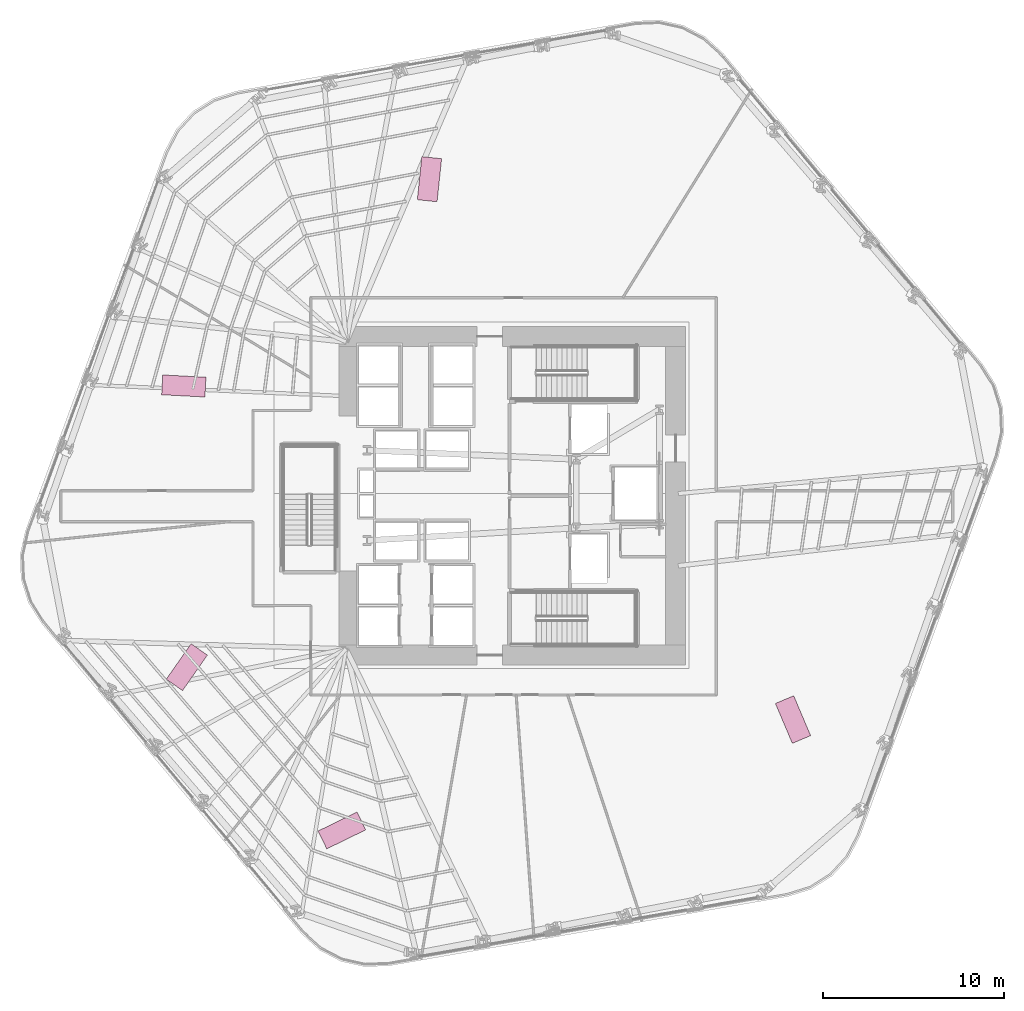
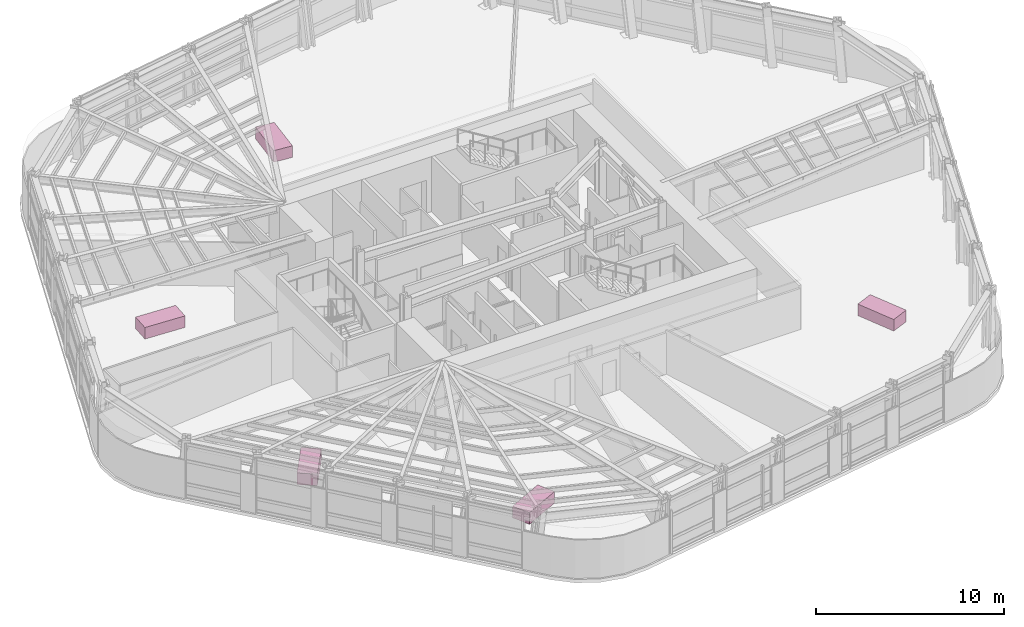
# One storey, part 16 of 16: 5 furniture elements.
"""IFC4 building model written with IfcOpenShell, lengths in metres."""

import ifcopenshell
import ifcopenshell.guid

model = None  # the IFC model being written
_history = None  # IfcOwnerHistory: only IFC2X3 demands one
_inside = {}  # id of a spatial element -> (the spatial element, [elements in it])
_under = {}  # id of a project, library or spatial element -> (it, [spatial elements below it])
_declared = {}  # id of a project -> (the project, [libraries it declares])
_typed = {}  # id of a type object -> (the type object, [elements of that type])
_made_of = {}  # id of a material, layer set ... -> (it, [elements and type objects made of it])


def new_model(schema):
    """Start an empty IFC model of exactly this schema.

    Asked for "IFC4X3", IfcOpenShell would pick the latest addendum, in which some entities
    have other attributes; the version numbers below select the first issue.
    IFC2X3 requires an IfcOwnerHistory on every rooted entity: one is made here for all.
    """
    global model, _history
    if schema == "IFC4X3":
        model = ifcopenshell.file(schema_version=(4, 3, 0, 0))
    else:
        model = ifcopenshell.file(schema=schema)
    _inside.clear()
    _under.clear()
    _declared.clear()
    _typed.clear()
    _made_of.clear()
    _history = None
    if model.schema == "IFC2X3":
        org = make("IfcOrganization", Name="unknown")
        user = make(
            "IfcPersonAndOrganization",
            ThePerson=make("IfcPerson", FamilyName="unknown"),
            TheOrganization=org,
        )
        app = make(
            "IfcApplication",
            ApplicationDeveloper=org,
            Version="unknown",
            ApplicationFullName="unknown",
            ApplicationIdentifier="unknown",
        )
        _history = make(
            "IfcOwnerHistory",
            OwningUser=user,
            OwningApplication=app,
            ChangeAction="ADDED",
            CreationDate=0,
        )
    return model


def make(cls, **values):
    """One entity of the class cls with the attributes given. An attribute that is None is left unset."""
    return model.create_entity(
        cls, **{name: value for name, value in values.items() if value is not None}
    )


def rooted(cls, **values):
    """An entity with a GlobalId (a new one), such as an element, a storey or a relation."""
    return make(cls, GlobalId=ifcopenshell.guid.new(), OwnerHistory=_history, **values)


def si_unit(unit_type, name, prefix=None):
    """IfcSIUnit, for example si_unit("LENGTHUNIT", "METRE", prefix="MILLI")."""
    return make("IfcSIUnit", UnitType=unit_type, Prefix=prefix, Name=name)


def assignment(units):
    """IfcUnitAssignment: the units of a project."""
    return None if units is None else make("IfcUnitAssignment", Units=units)


def point(xyz):
    """IfcCartesianPoint."""
    return None if xyz is None else make("IfcCartesianPoint", Coordinates=xyz)


def direction(xyz):
    """IfcDirection."""
    return None if xyz is None else make("IfcDirection", DirectionRatios=xyz)


def frame(location, z_axis=None, x_axis=None):
    """IfcAxis2Placement3D, a coordinate frame: its origin and axes. An axis left out is left unset."""
    return make(
        "IfcAxis2Placement3D",
        Location=point(location),
        Axis=direction(z_axis),
        RefDirection=direction(x_axis),
    )


def frame_2d(location, x_axis=None):
    """IfcAxis2Placement2D, a coordinate frame in the plane: its origin and x axis."""
    return make(
        "IfcAxis2Placement2D", Location=point(location), RefDirection=direction(x_axis)
    )


def origin():
    """The frame at (0, 0, 0) with its axes left unset."""
    return frame((0.0, 0.0, 0.0))


def origin_2d():
    """The frame at (0, 0) in the plane with its x axis left unset."""
    return frame_2d((0.0, 0.0))


def place(relative_to, where):
    """IfcLocalPlacement: puts the frame where relative to a parent placement (None: the world)."""
    return make(
        "IfcLocalPlacement", PlacementRelTo=relative_to, RelativePlacement=where
    )


def context(
    kind, dimensions, precision=None, world=None, true_north=None, identifier=None
):
    """IfcGeometricRepresentationContext, for example the 3D "Model" context."""
    return make(
        "IfcGeometricRepresentationContext",
        ContextIdentifier=identifier,
        ContextType=kind,
        CoordinateSpaceDimension=dimensions,
        Precision=precision,
        WorldCoordinateSystem=world,
        TrueNorth=true_north,
    )


def subcontext(parent, identifier, kind, view, scale=None):
    """IfcGeometricRepresentationSubContext, for example "Body" below "Model"."""
    return make(
        "IfcGeometricRepresentationSubContext",
        ContextIdentifier=identifier,
        ContextType=kind,
        ParentContext=parent,
        TargetScale=scale,
        TargetView=view,
    )


def project(units=None, contexts=None):
    """IfcProject with its units and contexts."""
    return rooted(
        "IfcProject",
        Name="project",
        RepresentationContexts=contexts,
        UnitsInContext=assignment(units),
    )


def spatial(cls, under=None, at=None, **own):
    """A site, building, storey or space (cls), placed at a placement, below another one or the project."""
    s = rooted(cls, ObjectPlacement=at, **own)
    if under is not None:
        _under.setdefault(under.id(), (under, []))[1].append(s)
    return s


def profile(cls, at=None, kind="AREA", **sizes):
    """A parametric profile (cls). Its sizes go by their IFC names, for example OverallWidth=200.0."""
    return make(cls, ProfileType=kind, Position=at, **sizes)


def rectangle(**sizes):
    """IfcRectangleProfileDef."""
    return profile("IfcRectangleProfileDef", **sizes)


def extrude(swept, where, along, depth):
    """IfcExtrudedAreaSolid: the profile swept, set in the frame where, extruded along a direction by depth."""
    return make(
        "IfcExtrudedAreaSolid",
        SweptArea=swept,
        Position=where,
        ExtrudedDirection=direction(along),
        Depth=depth,
    )


def shape(context_of_items, identifier, shape_type, items):
    """IfcShapeRepresentation: the items that make up one representation, for example the "Body"."""
    return make(
        "IfcShapeRepresentation",
        ContextOfItems=context_of_items,
        RepresentationIdentifier=identifier,
        RepresentationType=shape_type,
        Items=items,
    )


def material(Name=None, Category=None):
    """IfcMaterial."""
    return make("IfcMaterial", Name=Name, Category=Category)


def made_of(thing, what):
    """Note that an element or type object is made of a material, layer set ...; save() writes the relation."""
    if what is not None:
        _made_of.setdefault(what.id(), (what, []))[1].append(thing)
    return thing


def type_object(cls, material=None, **own):
    """A type object (cls), such as IfcWallType, which elements share."""
    return made_of(rooted(cls, **own), material)


def element(
    cls,
    number,
    at=None,
    inside=None,
    cuts=None,
    type_object=None,
    material=None,
    context=None,
    identifier="Body",
    shape_type=None,
    held_by="IfcProductDefinitionShape",
    body=None,
    shapes=None,
    **own,
):
    """One element of the class cls, such as IfcWall. Its Tag is "e" and its number.

    at: its placement. inside: the storey or other place that contains it. cuts: it is an
    opening in that element (IfcRelVoidsElement). A single representation is given by context,
    identifier, shape_type and body (its items); several are given by shapes. held_by: the class
    of the entity that holds the representations. save() writes the other relations.
    """
    e = rooted(cls, Tag="e%d" % number, ObjectPlacement=at, **own)
    if body is not None:
        shapes = [shape(context, identifier, shape_type, body)]
    if shapes is not None:
        e.Representation = make(held_by, Representations=shapes)
    if inside is not None:
        _inside.setdefault(inside.id(), (inside, []))[1].append(e)
    if cuts is not None:
        rooted(
            "IfcRelVoidsElement", RelatingBuildingElement=cuts, RelatedOpeningElement=e
        )
    if type_object is not None:
        _typed.setdefault(type_object.id(), (type_object, []))[1].append(e)
    return made_of(e, material)


def aggregate(whole, parts):
    """IfcRelAggregates: a whole, such as a stair, and the parts it consists of."""
    return rooted("IfcRelAggregates", RelatingObject=whole, RelatedObjects=parts)


def save(model, path):
    """Write the relations noted so far, then the file.

    IfcRelAggregates (storeys below a building ...), IfcRelContainedInSpatialStructure (elements
    in a storey), IfcRelDefinesByType, IfcRelAssociatesMaterial and IfcRelDeclares: one each for
    every whole, place, type object, material and project.
    """
    for whole, parts in _under.values():
        aggregate(whole, parts)
    for where, things in _inside.values():
        rooted(
            "IfcRelContainedInSpatialStructure",
            RelatedElements=things,
            RelatingStructure=where,
        )
    for kind, things in _typed.values():
        rooted("IfcRelDefinesByType", RelatedObjects=things, RelatingType=kind)
    for what, things in _made_of.values():
        rooted("IfcRelAssociatesMaterial", RelatedObjects=things, RelatingMaterial=what)
    for by, libraries in _declared.values():
        rooted("IfcRelDeclares", RelatingContext=by, RelatedDefinitions=libraries)
    model.write(path)


model = new_model("IFC4")

# Units and contexts
model_context = context("Model", 3, precision=1e-05, world=origin(), true_north=direction((0.0, 1.0)))
body_context = subcontext(model_context, "Body", "Model", "MODEL_VIEW")
ifc_project = project(units=[si_unit("LENGTHUNIT", "METRE"), si_unit("AREAUNIT", "SQUARE_METRE"), si_unit("VOLUMEUNIT", "CUBIC_METRE"), si_unit("PLANEANGLEUNIT", "RADIAN"), si_unit("MASSUNIT", "GRAM", prefix="KILO")], contexts=[model_context])

# Site, building, storey
site_placement = place(None, origin())
site = spatial("IfcSite", under=ifc_project, at=site_placement, CompositionType="ELEMENT")
building_placement = place(site_placement, origin())
building = spatial("IfcBuilding", under=site, at=building_placement, Name="Valkerne Bourse Tower", CompositionType="ELEMENT")
storey_placement = place(building_placement, frame((0.0, 0.0, 65.800048828125)))
storey = spatial("IfcBuildingStorey", under=building, at=storey_placement, Name="L16", CompositionType="ELEMENT", Elevation=65.800048828125)

# Furniture
ifc_material = material(Name="Architectural White Oak Timber", Category="wood")
furniture_type = type_object("IfcFurnitureType", Name="FURN-DESK-2400", AssemblyPlace="NOTDEFINED", PredefinedType="DESK", material=ifc_material)
for number, where, z_axis, x_axis, name in (
    (1, (28.610107421875, 32.9609375, 0.044921875), (0.0, 0.0, 1.0), (-0.998629534755, 0.052335956243, 0.0), "L16 Suite Worktable 05"),
    (2, (37.365966796875, 8.340087890625, 0.044921875), (0.0, 0.0, 1.0), (0.898794046299, 0.438371146789, 0.0), "L16 Suite Worktable 06"),
    (3, (28.77587890625, 17.384033203125, 0.044921875), (0.0, 0.0, 1.0), (0.573576436351, 0.819152044289, 0.0), "L16 Suite Worktable 07"),
    (4, (42.217041015625, 44.4150390625, 0.044921875), (0.0, 0.0, 1.0), (0.104528463268, 0.994521895368, 0.0), "L16 Suite Worktable 08"),
    (5, (62.35498046875, 14.48291015625, 0.044921875), (0.0, 0.0, 1.0), (-0.390731128489, 0.920504853452, 0.0), "L16 Suite Worktable 09"),
):
    element("IfcFurniture", number, at=place(storey_placement, frame(where, z_axis=z_axis, x_axis=x_axis)), inside=storey, type_object=furniture_type, Name=name, PredefinedType="DESK", context=body_context, shape_type="SweptSolid", body=[
        extrude(rectangle(XDim=2.39990234375, YDim=1.10009765625, at=origin_2d()), origin(), (0.0, 0.0, 1.0), 0.75),
    ])

save(model, "model.ifc")
